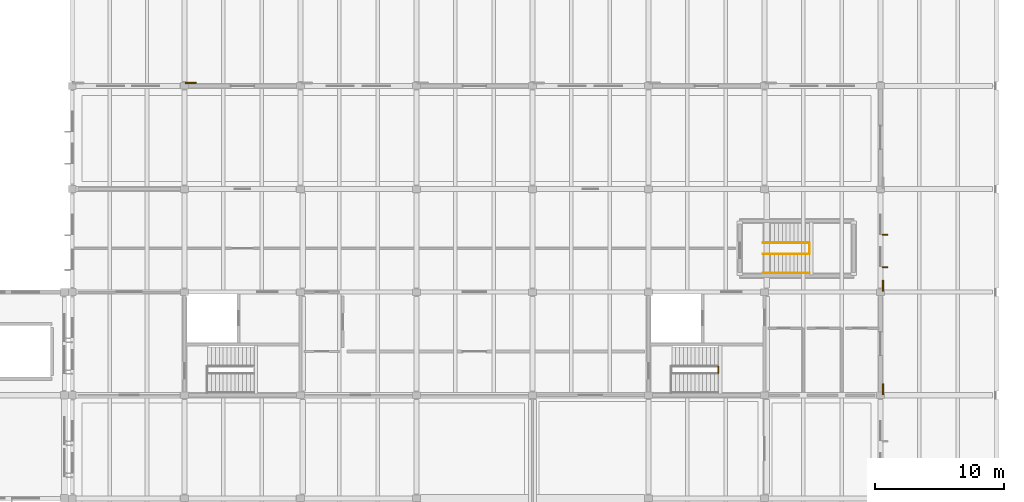
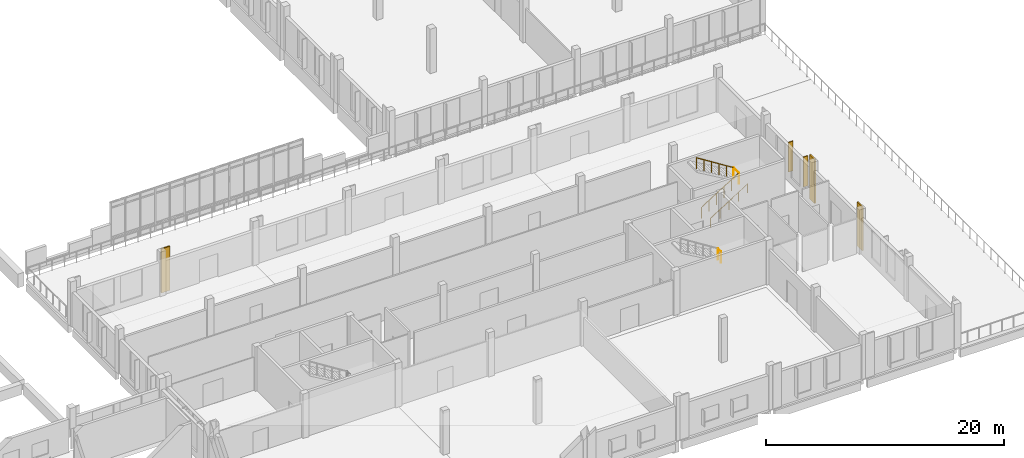
# One storey, part 59 of 63: 5 railings, 3 coverings, 2 shading devices.
"""IFC4 building model written with IfcOpenShell, lengths in metres."""

from ifc_helpers import new_model, si_unit, direction, frame, origin, origin_2d, place, context, subcontext, project, spatial, rectangle, circle, extrude, material, layer, layer_set, type_object, element, save


model = new_model("IFC4")

# Units and contexts
model_context = context("Model", 3, precision=1e-05, world=origin(), true_north=direction((0.0, 1.0)))
body_context = subcontext(model_context, "Body", "Model", "MODEL_VIEW")
ifc_project = project(units=[si_unit("LENGTHUNIT", "METRE"), si_unit("AREAUNIT", "SQUARE_METRE"), si_unit("VOLUMEUNIT", "CUBIC_METRE"), si_unit("PLANEANGLEUNIT", "RADIAN"), si_unit("MASSUNIT", "GRAM", prefix="KILO")], contexts=[model_context])

# Site, building, storey
site_placement = place(None, origin())
site = spatial("IfcSite", under=ifc_project, at=site_placement, CompositionType="ELEMENT")
building_placement = place(site_placement, origin())
building = spatial("IfcBuilding", under=site, at=building_placement, Name="Zacnel Wholesale Market", CompositionType="ELEMENT")
storey_placement = place(building_placement, frame((0.0, 0.0, 11.199951171875)))
storey = spatial("IfcBuildingStorey", under=building, at=storey_placement, Name="L03", CompositionType="ELEMENT", Elevation=11.199951171875)

# Coverings
ifc_material_1 = material(Name="Honed Yucatan Maya cream limestone", Category="masonry")
ifc_layer = layer(ifc_material_1, 0.090087890625)
ifc_layer_set = layer_set([ifc_layer], Name="Honed Yucatan Maya cream limestone")
covering_type = type_object("IfcCoveringType", Name="COV-CLAD-FRET", PredefinedType="CLADDING", material=ifc_layer_set)
for number, where, z_axis, x_axis, name in (
    (1, (153.47998046875, 40.2099609375, 0.02001953125), (0.0, 0.0, 1.0), (1.0, 0.0, 0.0), "Fluted Mayan-Deco limestone pilaster L03-0201"),
    (2, (207.2099609375, 16.47998046875, 0.02001953125), (0.0, 0.0, 1.0), (0.0, 1.0, 0.0), "Fluted Mayan-Deco limestone pilaster L03-0209"),
    (3, (207.2099609375, 24.47998046875, 0.02001953125), (0.0, 0.0, 1.0), (0.0, 1.0, 0.0), "Fluted Mayan-Deco limestone pilaster L03-0210"),
):
    element("IfcCovering", number, at=place(storey_placement, frame(where, z_axis=z_axis, x_axis=x_axis)), inside=storey, type_object=covering_type, Name=name, PredefinedType="CLADDING", context=body_context, shape_type="SweptSolid", body=[
        extrude(rectangle(XDim=0.85009765625, YDim=0.1201171875, at=origin_2d()), origin(), (0.0, 0.0, 1.0), 4.510009765625),
    ])

# Railings
ifc_material_2 = material(Name="Galvanized steel", Category="steel")
railing_type_1 = type_object("IfcRailingType", Name="RAL-HANDRAIL-920", PredefinedType="HANDRAIL", material=ifc_material_2)
railing_1_placement = place(storey_placement, frame((197.8798828125, 25.47998046875, 0.0)))
element("IfcRailing", 4, at=railing_1_placement, inside=storey, type_object=railing_type_1, Name="Stair ST-26 wall handrail", PredefinedType="HANDRAIL", context=body_context, shape_type="SweptSolid", body=[
    extrude(circle(Radius=0.02099609375, at=origin_2d()), frame((0.0, 0.0, 0.89892578125), z_axis=(0.845340388364, 0.0, 0.534228067216), x_axis=(0.0, 1.0, 0.0)), (0.0, 0.0, 1.0), 4.2587890625),
    extrude(circle(Radius=0.01806640625, at=origin_2d()), origin(), (0.0, 0.0, 1.0), 0.8779296875),
    extrude(circle(Radius=0.01806640625, at=origin_2d()), frame((0.89990234375, 0.0, 0.56884765625)), (0.0, 0.0, 1.0), 0.8779296875),
    extrude(circle(Radius=0.01806640625, at=origin_2d()), frame((1.800048828125, 0.0, 1.1376953125)), (0.0, 0.0, 1.0), 0.8779296875),
    extrude(circle(Radius=0.01806640625, at=origin_2d()), frame((2.7001953125, 0.0, 1.706298828125)), (0.0, 0.0, 1.0), 0.8779296875),
    extrude(circle(Radius=0.01806640625, at=origin_2d()), frame((3.60009765625, 0.0, 2.275146484375)), (0.0, 0.0, 1.0), 0.8779296875),
])
ifc_material_3 = material(Name="Galvanized steel", Category="steel")
railing_type_2 = type_object("IfcRailingType", Name="RAL-STAIR-GD1150", PredefinedType="BALUSTRADE", material=ifc_material_3)
railing_2_placement = place(storey_placement, frame((194.409912109375, 17.699951171875, 2.275146484375)))
element("IfcRailing", 5, at=railing_2_placement, inside=storey, type_object=railing_type_2, Name="Stair balustrade INT-STAIR-ST-06-GDIN-2", PredefinedType="BALUSTRADE", context=body_context, shape_type="SweptSolid", body=[
    extrude(circle(Radius=0.02392578125, at=origin_2d()), frame((0.0, 0.0, 1.1259765625), z_axis=(0.0, 1.0, 0.0), x_axis=(-1.0, 0.0, 0.0)), (0.0, 0.0, 1.0), 0.550048828125),
    extrude(circle(Radius=0.02099609375, at=origin_2d()), origin(), (0.0, 0.0, 1.0), 1.101806640625),
    extrude(circle(Radius=0.02099609375, at=origin_2d()), frame((0.0, 0.550048828125, 0.0)), (0.0, 0.0, 1.0), 1.101806640625),
])
railing_3_placement = place(storey_placement, frame((197.8798828125, 26.969970703125, 0.0)))
element("IfcRailing", 6, at=railing_3_placement, inside=storey, type_object=railing_type_2, Name="Stair balustrade INT-STAIR-ST-26-GDIN-1", PredefinedType="BALUSTRADE", context=body_context, shape_type="SweptSolid", body=[
    extrude(circle(Radius=0.02392578125, at=origin_2d()), frame((0.0, 0.0, 1.1259765625), z_axis=(0.845340388364, 0.0, 0.534228067216), x_axis=(0.0, 1.0, 0.0)), (0.0, 0.0, 1.0), 4.2587890625),
    extrude(circle(Radius=0.02099609375, at=origin_2d()), origin(), (0.0, 0.0, 1.0), 1.101806640625),
    extrude(circle(Radius=0.02099609375, at=origin_2d()), frame((0.719970703125, 0.0, 0.455078125)), (0.0, 0.0, 1.0), 1.101806640625),
    extrude(circle(Radius=0.02099609375, at=origin_2d()), frame((1.43994140625, 0.0, 0.91015625)), (0.0, 0.0, 1.0), 1.101806640625),
    extrude(circle(Radius=0.02099609375, at=origin_2d()), frame((2.16015625, 0.0, 1.364990234375)), (0.0, 0.0, 1.0), 1.101806640625),
    extrude(circle(Radius=0.02099609375, at=origin_2d()), frame((2.880126953125, 0.0, 1.820068359375)), (0.0, 0.0, 1.0), 1.101806640625),
    extrude(circle(Radius=0.02099609375, at=origin_2d()), frame((3.60009765625, 0.0, 2.275146484375)), (0.0, 0.0, 1.0), 1.101806640625),
])
railing_4_placement = place(storey_placement, frame((201.47998046875, 26.969970703125, 2.275146484375)))
element("IfcRailing", 7, at=railing_4_placement, inside=storey, type_object=railing_type_2, Name="Stair balustrade INT-STAIR-ST-26-GDIN-2", PredefinedType="BALUSTRADE", context=body_context, shape_type="SweptSolid", body=[
    extrude(circle(Radius=0.02392578125, at=origin_2d()), frame((0.0, 0.0, 1.1259765625), z_axis=(0.0, 1.0, 0.0), x_axis=(-1.0, 0.0, 0.0)), (0.0, 0.0, 1.0), 0.860107421875),
    extrude(circle(Radius=0.02099609375, at=origin_2d()), origin(), (0.0, 0.0, 1.0), 1.101806640625),
    extrude(circle(Radius=0.02099609375, at=origin_2d()), frame((0.0, 0.860107421875, 0.0)), (0.0, 0.0, 1.0), 1.101806640625),
])
railing_5_placement = place(storey_placement, frame((201.47998046875, 27.830078125, 2.275146484375)))
element("IfcRailing", 8, at=railing_5_placement, inside=storey, type_object=railing_type_2, Name="Stair balustrade INT-STAIR-ST-26-GDIN-3", PredefinedType="BALUSTRADE", context=body_context, shape_type="SweptSolid", body=[
    extrude(circle(Radius=0.02392578125, at=origin_2d()), frame((0.0, 0.0, 1.1259765625), z_axis=(-0.84536627719, 0.0, 0.53418709961), x_axis=(0.0, -1.0, 0.0)), (0.0, 0.0, 1.0), 4.258544921875),
    extrude(circle(Radius=0.02099609375, at=origin_2d()), origin(), (0.0, 0.0, 1.0), 1.101806640625),
    extrude(circle(Radius=0.02099609375, at=origin_2d()), frame((-0.719970703125, 0.0, 0.455078125)), (0.0, 0.0, 1.0), 1.101806640625),
    extrude(circle(Radius=0.02099609375, at=origin_2d()), frame((-1.43994140625, 0.0, 0.909912109375)), (0.0, 0.0, 1.0), 1.101806640625),
    extrude(circle(Radius=0.02099609375, at=origin_2d()), frame((-2.16015625, 0.0, 1.364990234375)), (0.0, 0.0, 1.0), 1.101806640625),
    extrude(circle(Radius=0.02099609375, at=origin_2d()), frame((-2.880126953125, 0.0, 1.81982421875)), (0.0, 0.0, 1.0), 1.101806640625),
    extrude(circle(Radius=0.02099609375, at=origin_2d()), frame((-3.60009765625, 0.0, 2.27490234375)), (0.0, 0.0, 1.0), 1.101806640625),
])

# Shading devices
ifc_material_4 = material(Name="Honed Yucatan Maya cream limestone", Category="masonry")
shading_device_type = type_object("IfcShadingDeviceType", Name="SHD-FIN-V450", PredefinedType="USERDEFINED", material=ifc_material_4)
for number, where, z_axis, x_axis, name in (
    (9, (207.360107421875, 25.93994140625, 0.60498046875), (0.0, 0.0, 1.0), (0.0, 1.0, 0.0), "Limestone sunshade fin 0251"),
    (10, (207.360107421875, 28.43994140625, 0.60498046875), (0.0, 0.0, 1.0), (0.0, 1.0, 0.0), "Limestone sunshade fin 0252"),
):
    element("IfcShadingDevice", number, at=place(storey_placement, frame(where, z_axis=z_axis, x_axis=x_axis)), inside=storey, type_object=shading_device_type, Name=name, ObjectType="SUNSHADE", PredefinedType="USERDEFINED", context=body_context, shape_type="SweptSolid", body=[
        extrude(rectangle(XDim=0.080078125, YDim=0.43994140625, at=origin_2d()), origin(), (0.0, 0.0, 1.0), 3.050048828125),
    ])

save(model, "model.ifc")
